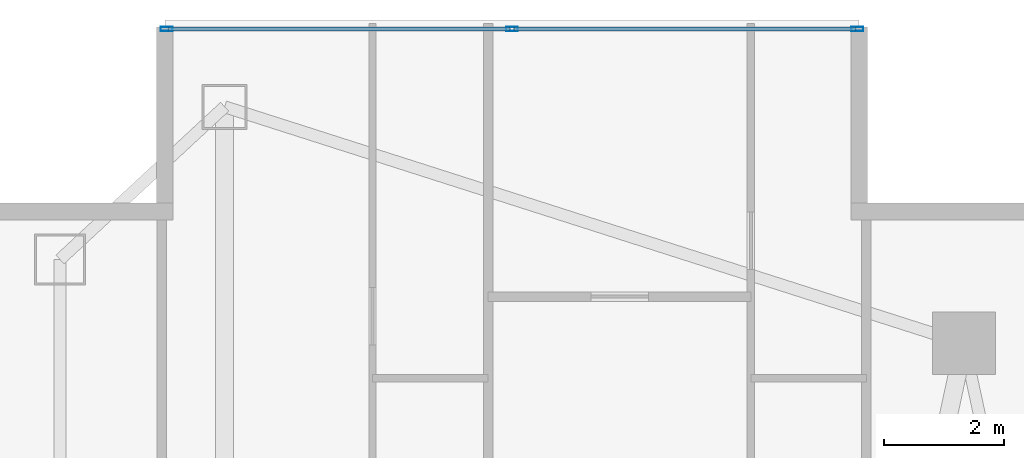
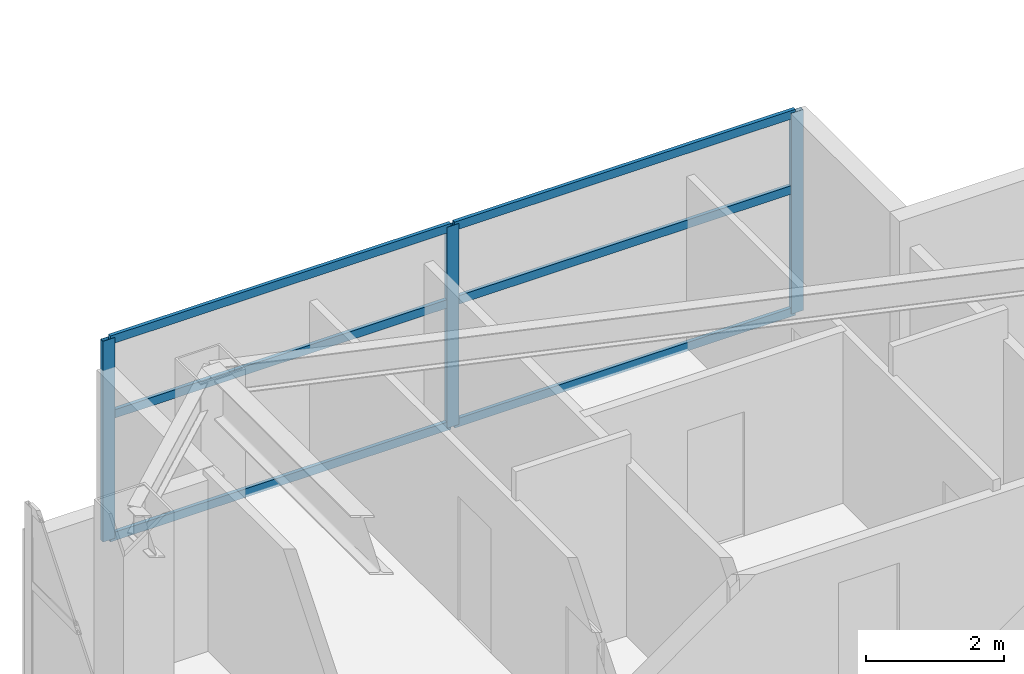
# One storey, part 19 of 28: 9 members, 1 element without a shape of its own.
"""IFC4 building model written with IfcOpenShell, lengths in metres."""

from ifc_helpers import new_model, si_unit, direction, frame, origin, origin_2d, place, context, subcontext, project, spatial, hollow_rectangle, extrude, material, layer, layer_set, material_profile, profile_set, type_object, element, aggregate, save


model = new_model("IFC4")

# Units and contexts
model_context = context("Model", 3, precision=1e-05, world=origin(), true_north=direction((0.0, 1.0)))
body_context = subcontext(model_context, "Body", "Model", "MODEL_VIEW")
ifc_project = project(units=[si_unit("LENGTHUNIT", "METRE"), si_unit("AREAUNIT", "SQUARE_METRE"), si_unit("VOLUMEUNIT", "CUBIC_METRE"), si_unit("PLANEANGLEUNIT", "RADIAN"), si_unit("MASSUNIT", "GRAM", prefix="KILO")], contexts=[model_context])

# Site, building, storey
site_placement = place(None, origin())
site = spatial("IfcSite", under=ifc_project, at=site_placement, CompositionType="ELEMENT")
building_placement = place(site_placement, origin())
building = spatial("IfcBuilding", under=site, at=building_placement, Name="Calvorn Quay Hotel", CompositionType="ELEMENT")
storey_placement = place(building_placement, frame((0.0, 0.0, 131.60009765625)))
storey = spatial("IfcBuildingStorey", under=building, at=storey_placement, Name="L32", CompositionType="ELEMENT", Elevation=131.60009765625)

# Curtain wall, members
ifc_material_1 = material(Name="Pale Anodised Aluminium and Low-E Glass", Category="aluminium")
ifc_layer = layer(ifc_material_1, 0.219970703125)
ifc_layer_set = layer_set([ifc_layer], Name="CW-SYS-Z2")
curtain_wall_type = type_object("IfcCurtainWallType", Name="CW-SYS-Z2", PredefinedType="NOTDEFINED", material=ifc_layer_set)
curtain_wall_placement = place(storey_placement, origin())
curtain_wall = element("IfcCurtainWall", 1, at=curtain_wall_placement, inside=storey, type_object=curtain_wall_type, Name="Inner Court Curtain Wall L32-N1", PredefinedType="NOTDEFINED")
ifc_material_2 = material(Name="Pale Anodised Aluminium 6063-T6", Category="aluminium")
ifc_material_profile_1 = material_profile(ifc_material_2, hollow_rectangle(XDim=0.070068359375, YDim=0.199951171875, WallThickness=0.00390625, at=origin_2d()), Name="ALU-M200x70x4")
ifc_profile_set_1 = profile_set([ifc_material_profile_1], Name="Pale Anodised Aluminium 6063-T6")
member_type_1 = type_object("IfcMemberType", Name="CW-SYS-Z2-MUL", PredefinedType="MULLION", material=ifc_profile_set_1)
member_1_placement = place(storey_placement, frame((14.77001953125, 50.85009765625, 0.0), z_axis=(0.0, 0.0, 1.0), x_axis=(0.0, -1.0, 0.0)))
member_1 = element("IfcMember", 2, at=member_1_placement, type_object=member_type_1, Name="CW-L32-N1 mullion 1", PredefinedType="MULLION", context=body_context, shape_type="SweptSolid", body=[
    extrude(hollow_rectangle(XDim=0.070068359375, YDim=0.199951171875, WallThickness=0.00390625, at=origin_2d()), origin(), (0.0, 0.0, 1.0), 3.559814453125),
])
member_2_placement = place(storey_placement, frame((9.0, 50.85009765625, 0.0), z_axis=(0.0, 0.0, 1.0), x_axis=(0.0, -1.0, 0.0)))
member_2 = element("IfcMember", 3, at=member_2_placement, type_object=member_type_1, Name="CW-L32-N1 mullion 2", PredefinedType="MULLION", context=body_context, shape_type="SweptSolid", body=[
    extrude(hollow_rectangle(XDim=0.070068359375, YDim=0.199951171875, WallThickness=0.00390625, at=origin_2d()), origin(), (0.0, 0.0, 1.0), 3.559814453125),
])
member_3_placement = place(storey_placement, frame((3.22998046875, 50.85009765625, 0.0), z_axis=(0.0, 0.0, 1.0), x_axis=(0.0, -1.0, 0.0)))
member_3 = element("IfcMember", 4, at=member_3_placement, type_object=member_type_1, Name="CW-L32-N1 mullion 3", PredefinedType="MULLION", context=body_context, shape_type="SweptSolid", body=[
    extrude(hollow_rectangle(XDim=0.070068359375, YDim=0.199951171875, WallThickness=0.00390625, at=origin_2d()), origin(), (0.0, 0.0, 1.0), 3.559814453125),
])
ifc_material_3 = material(Name="Pale Anodised Aluminium 6063-T6", Category="aluminium")
ifc_material_profile_2 = material_profile(ifc_material_3, hollow_rectangle(XDim=0.06005859375, YDim=0.14990234375, WallThickness=0.00341796875, at=origin_2d()), Name="ALU-T150x60x3.5")
ifc_profile_set_2 = profile_set([ifc_material_profile_2], Name="Pale Anodised Aluminium 6063-T6")
member_type_2 = type_object("IfcMemberType", Name="CW-SYS-Z2-TRN", PredefinedType="USERDEFINED", material=ifc_profile_set_2)
member_4_placement = place(storey_placement, frame((14.739990234375, 50.85009765625, 0.02978515625), z_axis=(-1.0, 0.0, 0.0), x_axis=(0.0, -1.0, 0.0)))
member_4 = element("IfcMember", 5, at=member_4_placement, type_object=member_type_2, Name="CW-L32-N1 transom 1.1", ObjectType="TRANSOM", PredefinedType="USERDEFINED", context=body_context, shape_type="SweptSolid", body=[
    extrude(hollow_rectangle(XDim=0.06005859375, YDim=0.14990234375, WallThickness=0.00341796875, at=origin_2d()), origin(), (0.0, 0.0, 1.0), 5.7099609375),
])
member_5_placement = place(storey_placement, frame((14.739990234375, 50.85009765625, 2.199951171875), z_axis=(-1.0, 0.0, 0.0), x_axis=(0.0, -1.0, 0.0)))
member_5 = element("IfcMember", 6, at=member_5_placement, type_object=member_type_2, Name="CW-L32-N1 transom 1.2", ObjectType="TRANSOM", PredefinedType="USERDEFINED", context=body_context, shape_type="SweptSolid", body=[
    extrude(hollow_rectangle(XDim=0.06005859375, YDim=0.14990234375, WallThickness=0.00341796875, at=origin_2d()), origin(), (0.0, 0.0, 1.0), 5.7099609375),
])
member_6_placement = place(storey_placement, frame((14.739990234375, 50.85009765625, 3.52978515625), z_axis=(-1.0, 0.0, 0.0), x_axis=(0.0, -1.0, 0.0)))
member_6 = element("IfcMember", 7, at=member_6_placement, type_object=member_type_2, Name="CW-L32-N1 transom 1.3", ObjectType="TRANSOM", PredefinedType="USERDEFINED", context=body_context, shape_type="SweptSolid", body=[
    extrude(hollow_rectangle(XDim=0.06005859375, YDim=0.14990234375, WallThickness=0.00341796875, at=origin_2d()), origin(), (0.0, 0.0, 1.0), 5.7099609375),
])
member_7_placement = place(storey_placement, frame((8.969970703125, 50.85009765625, 0.02978515625), z_axis=(-1.0, 0.0, 0.0), x_axis=(0.0, -1.0, 0.0)))
member_7 = element("IfcMember", 8, at=member_7_placement, type_object=member_type_2, Name="CW-L32-N1 transom 2.1", ObjectType="TRANSOM", PredefinedType="USERDEFINED", context=body_context, shape_type="SweptSolid", body=[
    extrude(hollow_rectangle(XDim=0.06005859375, YDim=0.14990234375, WallThickness=0.00341796875, at=origin_2d()), origin(), (0.0, 0.0, 1.0), 5.7099609375),
])
member_8_placement = place(storey_placement, frame((8.969970703125, 50.85009765625, 2.199951171875), z_axis=(-1.0, 0.0, 0.0), x_axis=(0.0, -1.0, 0.0)))
member_8 = element("IfcMember", 9, at=member_8_placement, type_object=member_type_2, Name="CW-L32-N1 transom 2.2", ObjectType="TRANSOM", PredefinedType="USERDEFINED", context=body_context, shape_type="SweptSolid", body=[
    extrude(hollow_rectangle(XDim=0.06005859375, YDim=0.14990234375, WallThickness=0.00341796875, at=origin_2d()), origin(), (0.0, 0.0, 1.0), 5.7099609375),
])
member_9_placement = place(storey_placement, frame((8.969970703125, 50.85009765625, 3.52978515625), z_axis=(-1.0, 0.0, 0.0), x_axis=(0.0, -1.0, 0.0)))
member_9 = element("IfcMember", 10, at=member_9_placement, type_object=member_type_2, Name="CW-L32-N1 transom 2.3", ObjectType="TRANSOM", PredefinedType="USERDEFINED", context=body_context, shape_type="SweptSolid", body=[
    extrude(hollow_rectangle(XDim=0.06005859375, YDim=0.14990234375, WallThickness=0.00341796875, at=origin_2d()), origin(), (0.0, 0.0, 1.0), 5.7099609375),
])
aggregate(curtain_wall, [member_1, member_2, member_3, member_4, member_5, member_6, member_7, member_8, member_9])

save(model, "model.ifc")
